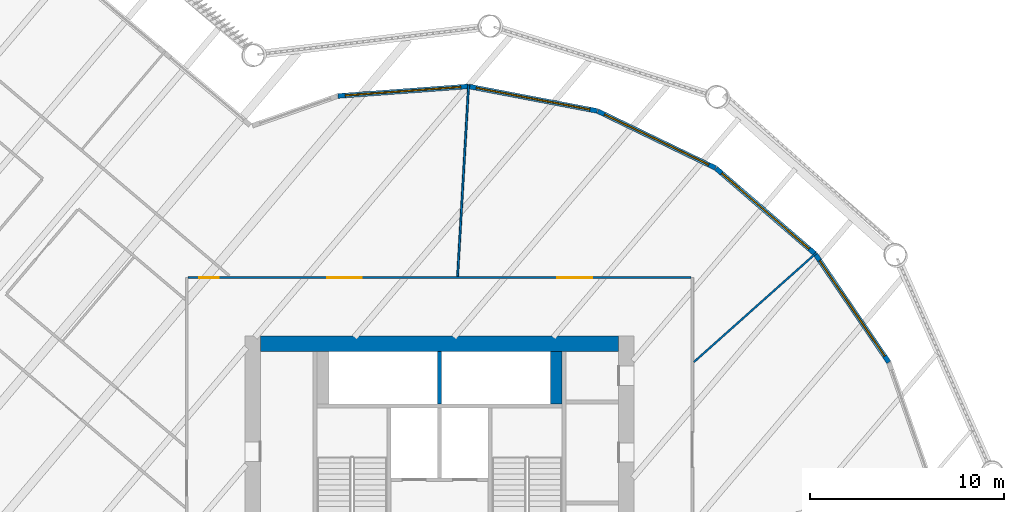
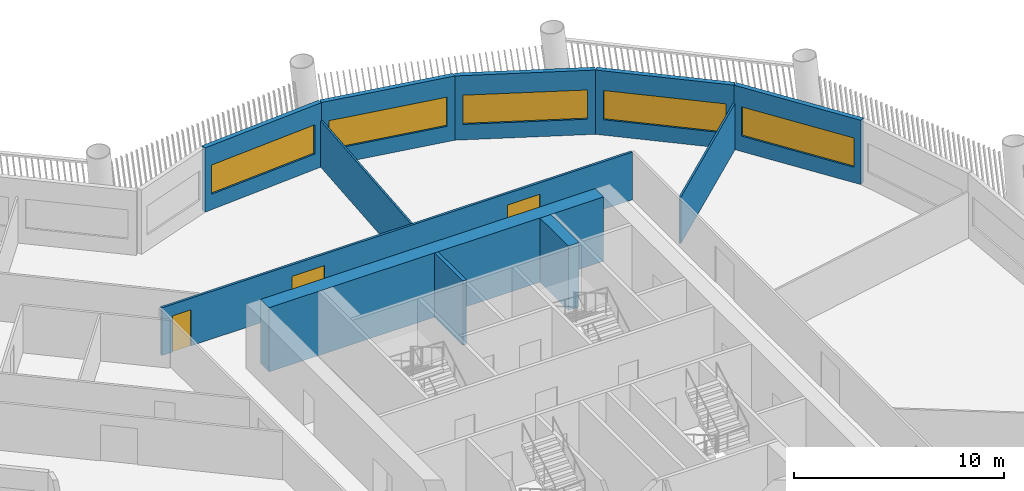
# One storey, part 7 of 16: 11 walls, 5 windows, 3 doors, 8 openings.
"""IFC4 building model written with IfcOpenShell, lengths in metres."""

from ifc_helpers import new_model, si_unit, direction, frame, frame_2d, origin, place, context, subcontext, project, spatial, rectangle, extrude, material, layer, layer_set, type_object, element, fill, save


model = new_model("IFC4")

# Units and contexts
model_context = context("Model", 3, precision=1e-05, world=origin(), true_north=direction((0.0, 1.0)))
body_context = subcontext(model_context, "Body", "Model", "MODEL_VIEW")
ifc_project = project(units=[si_unit("LENGTHUNIT", "METRE"), si_unit("AREAUNIT", "SQUARE_METRE"), si_unit("VOLUMEUNIT", "CUBIC_METRE"), si_unit("PLANEANGLEUNIT", "RADIAN"), si_unit("MASSUNIT", "GRAM", prefix="KILO")], contexts=[model_context])

# Site, building, storey
site_placement = place(None, origin())
site = spatial("IfcSite", under=ifc_project, at=site_placement, CompositionType="ELEMENT")
building_placement = place(site_placement, origin())
building = spatial("IfcBuilding", under=site, at=building_placement, Name="Tarsis Ring Headquarters", CompositionType="ELEMENT")
storey_placement = place(building_placement, frame((0.0, 0.0, 104.5)))
storey = spatial("IfcBuildingStorey", under=building, at=storey_placement, Name="L23", CompositionType="ELEMENT", Elevation=104.5)

# Walls
ifc_material_1 = material(Name="Concrete C60/75", Category="concrete")
ifc_layer_1 = layer(ifc_material_1, 0.800048828125)
ifc_layer_set_1 = layer_set([ifc_layer_1], Name="Core wall 800 C60/75")
wall_type_1 = type_object("IfcWallType", Name="Core wall 800 C60/75", PredefinedType="SHEAR", material=ifc_layer_set_1)
wall_1_placement = place(storey_placement, frame((-9.199951171875, 12.60009765625, 0.0), z_axis=(0.0, 0.0, 1.0), x_axis=(1.0, 0.0, 0.0)))
element("IfcWall", 1, at=wall_1_placement, inside=storey, type_object=wall_type_1, Name="Core wall ON", PredefinedType="SHEAR", context=body_context, shape_type="SweptSolid", body=[
    extrude(rectangle(XDim=18.39990234375, YDim=0.800048828125, at=frame_2d((9.199951171875, 0.0))), origin(), (0.0, 0.0, 1.0), 3.739990234375),
])
ifc_material_2 = material(Name="Gypsum board on steel studs", Category="steel")
ifc_layer_2 = layer(ifc_material_2, 0.10009765625)
ifc_layer_set_2 = layer_set([ifc_layer_2], Name="FL partition 100 unrated")
wall_type_2 = type_object("IfcWallType", Name="FL partition 100 unrated", PredefinedType="PARTITIONING", material=ifc_layer_set_2)
wall_2_placement = place(storey_placement, frame((0.926513671875, 16.06982421875, 0.0), z_axis=(0.0, 0.0, 1.0), x_axis=(0.05756993468, 0.998341475959, 0.0)))
element("IfcWall", 2, at=wall_2_placement, inside=storey, type_object=wall_type_2, Name="Partition PW3", PredefinedType="PARTITIONING", context=body_context, shape_type="SweptSolid", body=[
    extrude(rectangle(XDim=9.851318359375, YDim=0.10009765625, at=frame_2d((4.92578125, 0.0))), origin(), (0.0, 0.0, 1.0), 2.699951171875),
])
wall_3_placement = place(storey_placement, frame((13.08203125, 11.65576171875, 0.0), z_axis=(0.0, 0.0, 1.0), x_axis=(0.746641527729, 0.665226599792, 0.0)))
element("IfcWall", 3, at=wall_3_placement, inside=storey, type_object=wall_type_2, Name="Partition PW3", PredefinedType="PARTITIONING", context=body_context, shape_type="SweptSolid", body=[
    extrude(rectangle(XDim=8.426513671875, YDim=0.10009765625, at=frame_2d((4.21337890625, 0.0))), origin(), (0.0, 0.0, 1.0), 2.699951171875),
])

# Wall, openings, doors
ifc_layer_3 = layer(ifc_material_2, 0.125)
ifc_layer_set_3 = layer_set([ifc_layer_3], Name="FL partition 125 EI 60 H2770")
wall_type_3 = type_object("IfcWallType", Name="FL partition 125 EI 60 H2770", PredefinedType="PARTITIONING", material=ifc_layer_set_3)
wall_4_placement = place(storey_placement, frame((-12.93994140625, 16.0, 0.0), z_axis=(0.0, 0.0, 1.0), x_axis=(1.0, 0.0, 0.0)))
wall_4 = element("IfcWall", 4, at=wall_4_placement, inside=storey, type_object=wall_type_3, Name="Partition PW1", PredefinedType="PARTITIONING", context=body_context, shape_type="SweptSolid", body=[
    extrude(rectangle(XDim=25.8798828125, YDim=0.125, at=frame_2d((12.93994140625, 0.0))), origin(), (0.0, 0.0, 1.0), 2.77001953125),
])
opening_1_placement = place(wall_4_placement, frame((7.149658203125, 0.0, 0.0)))
opening_1 = element("IfcOpeningElement", 5, at=opening_1_placement, cuts=wall_4, Name="Opening D23.04", PredefinedType="OPENING", context=body_context, shape_type="SweptSolid", body=[
    extrude(rectangle(XDim=1.800048828125, YDim=2.10009765625, at=frame_2d((0.89990234375, 1.050048828125))), frame((0.0, 0.072509765625, 0.0), z_axis=(0.0, -1.0, 0.0), x_axis=(1.0, 0.0, 0.0)), (0.0, 0.0, 1.0), 0.14501953125),
])
opening_2_placement = place(wall_4_placement, frame((19.001220703125, 0.0, 0.0)))
opening_2 = element("IfcOpeningElement", 6, at=opening_2_placement, cuts=wall_4, Name="Opening D23.05", PredefinedType="OPENING", context=body_context, shape_type="SweptSolid", body=[
    extrude(rectangle(XDim=1.800048828125, YDim=2.10009765625, at=frame_2d((0.89990234375, 1.050048828125))), frame((0.0, 0.072509765625, 0.0), z_axis=(0.0, -1.0, 0.0), x_axis=(1.0, 0.0, 0.0)), (0.0, 0.0, 1.0), 0.14501953125),
])
opening_3_placement = place(wall_4_placement, frame((0.58837890625, 0.0, 0.0)))
opening_3 = element("IfcOpeningElement", 7, at=opening_3_placement, cuts=wall_4, Name="Opening D23.25", PredefinedType="OPENING", context=body_context, shape_type="SweptSolid", body=[
    extrude(rectangle(XDim=1.0, YDim=2.10009765625, at=frame_2d((0.5, 1.050048828125))), frame((0.0, 0.072509765625, 0.0), z_axis=(0.0, -1.0, 0.0), x_axis=(1.0, 0.0, 0.0)), (0.0, 0.0, 1.0), 0.14501953125),
])
ifc_material_3 = material(Name="Fire-rated timber door leaf in steel frame", Category="steel")
door_type_1 = type_object("IfcDoorType", Name="FL door FD60-1000", OperationType="NOTDEFINED", PredefinedType="DOOR", material=ifc_material_3)
door_1_placement = place(opening_3_placement, origin())
door_1 = element("IfcDoor", 8, at=door_1_placement, inside=storey, type_object=door_type_1, Name="Door D23.25", OperationType="SINGLE_SWING_RIGHT", OverallHeight=2.10009765625, OverallWidth=1.0, PredefinedType="DOOR", context=body_context, shape_type="SweptSolid", body=[
    extrude(rectangle(XDim=1.0, YDim=2.10009765625, at=frame_2d((0.5, 1.050048828125))), frame((0.0, 0.02490234375, 0.0), z_axis=(0.0, -1.0, 0.0), x_axis=(1.0, 0.0, 0.0)), (0.0, 0.0, 1.0), 0.050048828125),
])
fill(opening_3, door_1)
door_type_2 = type_object("IfcDoorType", Name="FL door FD60-1800", OperationType="DOUBLE_DOOR_SINGLE_SWING", PredefinedType="DOOR", material=ifc_material_3)
door_2_placement = place(opening_1_placement, origin())
door_2 = element("IfcDoor", 9, at=door_2_placement, inside=storey, type_object=door_type_2, Name="Door D23.04", OperationType="DOUBLE_DOOR_SINGLE_SWING", OverallHeight=2.10009765625, OverallWidth=1.800048828125, PredefinedType="DOOR", context=body_context, shape_type="SweptSolid", body=[
    extrude(rectangle(XDim=1.800048828125, YDim=2.10009765625, at=frame_2d((0.89990234375, 1.050048828125))), frame((0.0, 0.02490234375, 0.0), z_axis=(0.0, -1.0, 0.0), x_axis=(1.0, 0.0, 0.0)), (0.0, 0.0, 1.0), 0.050048828125),
])
fill(opening_1, door_2)
door_3_placement = place(opening_2_placement, origin())
door_3 = element("IfcDoor", 10, at=door_3_placement, inside=storey, type_object=door_type_2, Name="Door D23.05", OperationType="DOUBLE_DOOR_SINGLE_SWING", OverallHeight=2.10009765625, OverallWidth=1.800048828125, PredefinedType="DOOR", context=body_context, shape_type="SweptSolid", body=[
    extrude(rectangle(XDim=1.800048828125, YDim=2.10009765625, at=frame_2d((0.89990234375, 1.050048828125))), frame((0.0, 0.02490234375, 0.0), z_axis=(0.0, -1.0, 0.0), x_axis=(1.0, 0.0, 0.0)), (0.0, 0.0, 1.0), 0.050048828125),
])
fill(opening_2, door_3)

# Wall, opening, window
ifc_material_4 = material(Name="Terracotta clad insulated panel wall", Category="masonry")
ifc_layer_4 = layer(ifc_material_4, 0.25)
ifc_layer_set_4 = layer_set([ifc_layer_4], Name="Facade wall terracotta panel 250")
wall_type_4 = type_object("IfcWallType", Name="Facade wall terracotta panel 250", PredefinedType="STANDARD", material=ifc_layer_set_4)
wall_5_placement = place(storey_placement, frame((23.105712890625, 11.63916015625, 0.0), z_axis=(0.0, 0.0, 1.0), x_axis=(-0.562079511259, 0.827083201995, 0.0)))
wall_5 = element("IfcWall", 11, at=wall_5_placement, inside=storey, type_object=wall_type_4, Name="External wall L23-25", PredefinedType="STANDARD", context=body_context, shape_type="SweptSolid", body=[
    extrude(rectangle(XDim=6.7216796875, YDim=0.25, at=frame_2d((3.36083984375, 0.0))), origin(), (0.0, 0.0, 1.0), 3.739990234375),
])
opening_4_placement = place(wall_5_placement, frame((0.3857421875, 0.0, 0.89990234375)))
opening_4 = element("IfcOpeningElement", 12, at=opening_4_placement, cuts=wall_5, Name="Opening WN07", PredefinedType="OPENING", context=body_context, shape_type="SweptSolid", body=[
    extrude(rectangle(XDim=5.949951171875, YDim=1.699951171875, at=frame_2d((2.97509765625, 0.85009765625))), frame((0.0, 0.135009765625, 0.0), z_axis=(0.0, -1.0, 0.0), x_axis=(1.0, 0.0, 0.0)), (0.0, 0.0, 1.0), 0.27001953125),
])
ifc_material_5 = material(Name="Aluminium framed double glazing", Category="aluminium")
window_type = type_object("IfcWindowType", Name="Facade window 5950 x 1700", PartitioningType="SINGLE_PANEL", PredefinedType="WINDOW", material=ifc_material_5)
window_1_placement = place(opening_4_placement, origin())
window_1 = element("IfcWindow", 13, at=window_1_placement, inside=storey, type_object=window_type, Name="Window L23-25.1", OverallHeight=1.699951171875, OverallWidth=5.949951171875, PartitioningType="SINGLE_PANEL", PredefinedType="WINDOW", context=body_context, shape_type="SweptSolid", body=[
    extrude(rectangle(XDim=5.949951171875, YDim=1.699951171875, at=frame_2d((2.97509765625, 0.85009765625))), frame((0.0, 0.030029296875, 0.0), z_axis=(0.0, -1.0, 0.0), x_axis=(1.0, 0.0, 0.0)), (0.0, 0.0, 1.0), 0.06005859375),
])
fill(opening_4, window_1)

wall_6_placement = place(storey_placement, frame((19.305908203125, 17.222900390625, 0.0), z_axis=(0.0, 0.0, 1.0), x_axis=(-0.757003475288, 0.653410849621, 0.0)))
wall_6 = element("IfcWall", 14, at=wall_6_placement, inside=storey, type_object=wall_type_4, Name="External wall L23-26", PredefinedType="STANDARD", context=body_context, shape_type="SweptSolid", body=[
    extrude(rectangle(XDim=6.721435546875, YDim=0.25, at=frame_2d((3.36083984375, 0.0))), origin(), (0.0, 0.0, 1.0), 3.739990234375),
])
opening_5_placement = place(wall_6_placement, frame((0.3857421875, 0.0, 0.89990234375)))
opening_5 = element("IfcOpeningElement", 15, at=opening_5_placement, cuts=wall_6, Name="Opening WN07", PredefinedType="OPENING", context=body_context, shape_type="SweptSolid", body=[
    extrude(rectangle(XDim=5.949951171875, YDim=1.699951171875, at=frame_2d((2.97509765625, 0.85009765625))), frame((0.0, 0.135009765625, 0.0), z_axis=(0.0, -1.0, 0.0), x_axis=(1.0, 0.0, 0.0)), (0.0, 0.0, 1.0), 0.27001953125),
])
window_2_placement = place(opening_5_placement, origin())
window_2 = element("IfcWindow", 16, at=window_2_placement, inside=storey, type_object=window_type, Name="Window L23-26.1", OverallHeight=1.699951171875, OverallWidth=5.949951171875, PartitioningType="SINGLE_PANEL", PredefinedType="WINDOW", context=body_context, shape_type="SweptSolid", body=[
    extrude(rectangle(XDim=5.949951171875, YDim=1.699951171875, at=frame_2d((2.97509765625, 0.85009765625))), frame((0.0, 0.030029296875, 0.0), z_axis=(0.0, -1.0, 0.0), x_axis=(1.0, 0.0, 0.0)), (0.0, 0.0, 1.0), 0.06005859375),
])
fill(opening_5, window_2)

wall_7_placement = place(storey_placement, frame((14.190673828125, 21.6328125, 0.0), z_axis=(0.0, 0.0, 1.0), x_axis=(-0.900332823955, 0.435202029072, 0.0)))
wall_7 = element("IfcWall", 17, at=wall_7_placement, inside=storey, type_object=wall_type_4, Name="External wall L23-27", PredefinedType="STANDARD", context=body_context, shape_type="SweptSolid", body=[
    extrude(rectangle(XDim=6.7216796875, YDim=0.25, at=frame_2d((3.36083984375, 0.0))), origin(), (0.0, 0.0, 1.0), 3.739990234375),
])
opening_6_placement = place(wall_7_placement, frame((0.3857421875, 0.0, 0.89990234375)))
opening_6 = element("IfcOpeningElement", 18, at=opening_6_placement, cuts=wall_7, Name="Opening WN07", PredefinedType="OPENING", context=body_context, shape_type="SweptSolid", body=[
    extrude(rectangle(XDim=5.949951171875, YDim=1.699951171875, at=frame_2d((2.97509765625, 0.85009765625))), frame((0.0, 0.135009765625, 0.0), z_axis=(0.0, -1.0, 0.0), x_axis=(1.0, 0.0, 0.0)), (0.0, 0.0, 1.0), 0.27001953125),
])
window_3_placement = place(opening_6_placement, origin())
window_3 = element("IfcWindow", 19, at=window_3_placement, inside=storey, type_object=window_type, Name="Window L23-27.1", OverallHeight=1.699951171875, OverallWidth=5.949951171875, PartitioningType="SINGLE_PANEL", PredefinedType="WINDOW", context=body_context, shape_type="SweptSolid", body=[
    extrude(rectangle(XDim=5.949951171875, YDim=1.699951171875, at=frame_2d((2.97509765625, 0.85009765625))), frame((0.0, 0.030029296875, 0.0), z_axis=(0.0, -1.0, 0.0), x_axis=(1.0, 0.0, 0.0)), (0.0, 0.0, 1.0), 0.06005859375),
])
fill(opening_6, window_3)

wall_8_placement = place(storey_placement, frame((8.108154296875, 24.568359375, 0.0), z_axis=(0.0, 0.0, 1.0), x_axis=(-0.982286708592, 0.187384156546, 0.0)))
wall_8 = element("IfcWall", 20, at=wall_8_placement, inside=storey, type_object=wall_type_4, Name="External wall L23-28", PredefinedType="STANDARD", context=body_context, shape_type="SweptSolid", body=[
    extrude(rectangle(XDim=6.7216796875, YDim=0.25, at=frame_2d((3.36083984375, 0.0))), origin(), (0.0, 0.0, 1.0), 3.739990234375),
])
opening_7_placement = place(wall_8_placement, frame((0.3857421875, 0.0, 0.89990234375)))
opening_7 = element("IfcOpeningElement", 21, at=opening_7_placement, cuts=wall_8, Name="Opening WN07", PredefinedType="OPENING", context=body_context, shape_type="SweptSolid", body=[
    extrude(rectangle(XDim=5.949951171875, YDim=1.699951171875, at=frame_2d((2.97509765625, 0.85009765625))), frame((0.0, 0.135009765625, 0.0), z_axis=(0.0, -1.0, 0.0), x_axis=(1.0, 0.0, 0.0)), (0.0, 0.0, 1.0), 0.27001953125),
])
window_4_placement = place(opening_7_placement, origin())
window_4 = element("IfcWindow", 22, at=window_4_placement, inside=storey, type_object=window_type, Name="Window L23-28.1", OverallHeight=1.699951171875, OverallWidth=5.949951171875, PartitioningType="SINGLE_PANEL", PredefinedType="WINDOW", context=body_context, shape_type="SweptSolid", body=[
    extrude(rectangle(XDim=5.949951171875, YDim=1.699951171875, at=frame_2d((2.97509765625, 0.85009765625))), frame((0.0, 0.030029296875, 0.0), z_axis=(0.0, -1.0, 0.0), x_axis=(1.0, 0.0, 0.0)), (0.0, 0.0, 1.0), 0.06005859375),
])
fill(opening_7, window_4)

wall_9_placement = place(storey_placement, frame((1.472900390625, 25.829833984375, 0.0), z_axis=(0.0, 0.0, 1.0), x_axis=(-0.997315315639, -0.073226779194, 0.0)))
wall_9 = element("IfcWall", 23, at=wall_9_placement, inside=storey, type_object=wall_type_4, Name="External wall L23-29", PredefinedType="STANDARD", context=body_context, shape_type="SweptSolid", body=[
    extrude(rectangle(XDim=6.721435546875, YDim=0.25, at=frame_2d((3.36083984375, 0.0))), origin(), (0.0, 0.0, 1.0), 3.739990234375),
])
opening_8_placement = place(wall_9_placement, frame((0.3857421875, 0.0, 0.89990234375)))
opening_8 = element("IfcOpeningElement", 24, at=opening_8_placement, cuts=wall_9, Name="Opening WN07", PredefinedType="OPENING", context=body_context, shape_type="SweptSolid", body=[
    extrude(rectangle(XDim=5.949951171875, YDim=1.699951171875, at=frame_2d((2.97509765625, 0.85009765625))), frame((0.0, 0.135009765625, 0.0), z_axis=(0.0, -1.0, 0.0), x_axis=(1.0, 0.0, 0.0)), (0.0, 0.0, 1.0), 0.27001953125),
])
window_5_placement = place(opening_8_placement, origin())
window_5 = element("IfcWindow", 25, at=window_5_placement, inside=storey, type_object=window_type, Name="Window L23-29.1", OverallHeight=1.699951171875, OverallWidth=5.949951171875, PartitioningType="SINGLE_PANEL", PredefinedType="WINDOW", context=body_context, shape_type="SweptSolid", body=[
    extrude(rectangle(XDim=5.949951171875, YDim=1.699951171875, at=frame_2d((2.97509765625, 0.85009765625))), frame((0.0, 0.030029296875, 0.0), z_axis=(0.0, -1.0, 0.0), x_axis=(1.0, 0.0, 0.0)), (0.0, 0.0, 1.0), 0.06005859375),
])
fill(opening_8, window_5)

# Walls
ifc_material_6 = material(Name="Concrete C32/40", Category="concrete")
ifc_layer_5 = layer(ifc_material_6, 0.60009765625)
ifc_layer_set_5 = layer_set([ifc_layer_5], Name="Shaft end wall 600 C32/40")
wall_type_5 = type_object("IfcWallType", Name="Shaft end wall 600 C32/40", PredefinedType="SOLIDWALL", material=ifc_layer_set_5)
wall_10_placement = place(storey_placement, frame((6.0, 9.5, 0.0), z_axis=(0.0, 0.0, 1.0), x_axis=(0.0, 1.0, 0.0)))
element("IfcWall", 26, at=wall_10_placement, inside=storey, type_object=wall_type_5, Name="Core shaft wall NNE2", PredefinedType="SOLIDWALL", context=body_context, shape_type="SweptSolid", body=[
    extrude(rectangle(XDim=2.699951171875, YDim=0.60009765625, at=frame_2d((1.35009765625, 0.0))), origin(), (0.0, 0.0, 1.0), 3.739990234375),
])
ifc_layer_6 = layer(ifc_material_6, 0.199951171875)
ifc_layer_set_6 = layer_set([ifc_layer_6], Name="Shaft wall 200 C32/40")
wall_type_6 = type_object("IfcWallType", Name="Shaft wall 200 C32/40", PredefinedType="SOLIDWALL", material=ifc_layer_set_6)
wall_11_placement = place(storey_placement, frame((0.0, 9.5, 0.0), z_axis=(0.0, 0.0, 1.0), x_axis=(0.0, 1.0, 0.0)))
element("IfcWall", 27, at=wall_11_placement, inside=storey, type_object=wall_type_6, Name="Core shaft wall ND2", PredefinedType="SOLIDWALL", context=body_context, shape_type="SweptSolid", body=[
    extrude(rectangle(XDim=2.699951171875, YDim=0.199951171875, at=frame_2d((1.35009765625, 0.0))), origin(), (0.0, 0.0, 1.0), 3.739990234375),
])

save(model, "model.ifc")
